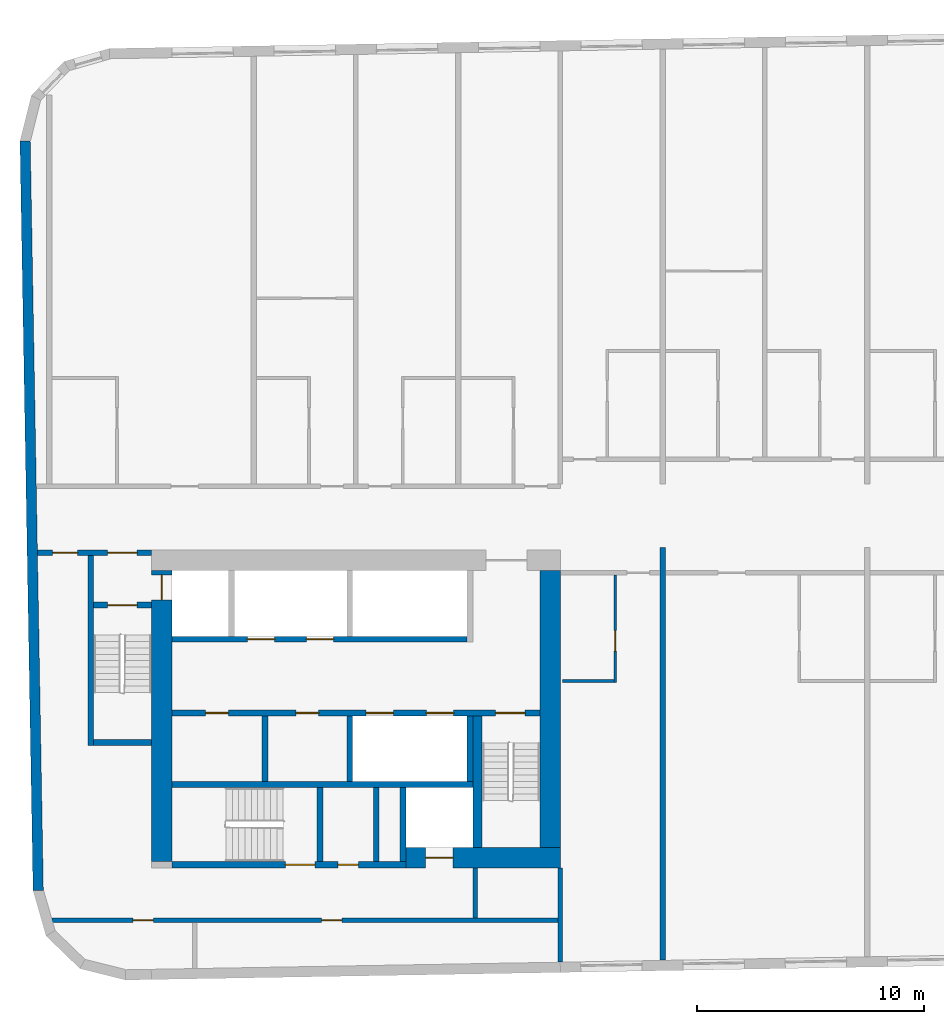
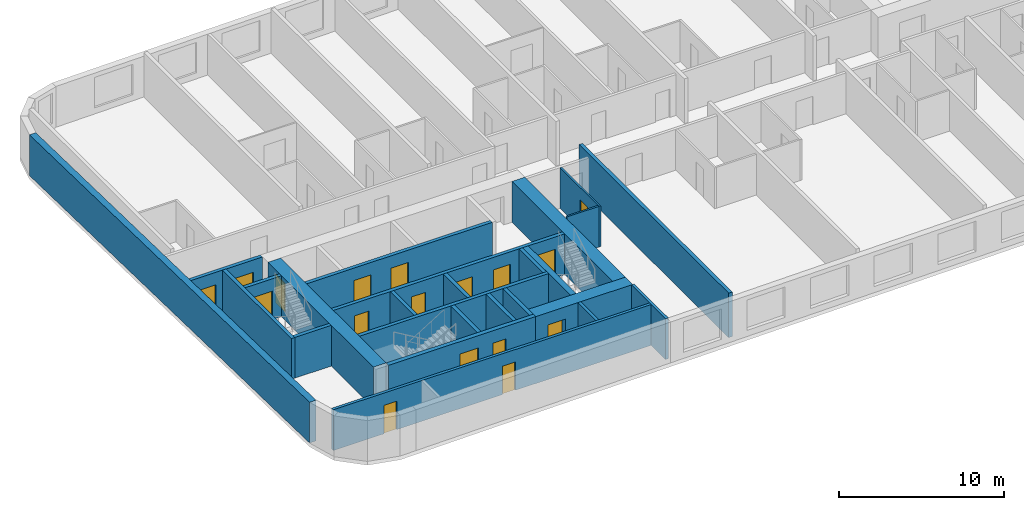
# One storey, part 2 of 11: 25 walls, 17 doors, 17 openings.
"""IFC4 building model written with IfcOpenShell, lengths in metres."""

from ifc_helpers import new_model, si_unit, direction, frame, frame_2d, origin, place, context, subcontext, project, spatial, rectangle, extrude, material, layer, layer_set, type_object, element, fill, save


model = new_model("IFC4")

# Units and contexts
model_context = context("Model", 3, precision=1e-05, world=origin(), true_north=direction((0.0, 1.0)))
body_context = subcontext(model_context, "Body", "Model", "MODEL_VIEW")
ifc_project = project(units=[si_unit("LENGTHUNIT", "METRE"), si_unit("AREAUNIT", "SQUARE_METRE"), si_unit("VOLUMEUNIT", "CUBIC_METRE"), si_unit("PLANEANGLEUNIT", "RADIAN"), si_unit("MASSUNIT", "GRAM", prefix="KILO")], contexts=[model_context])

# Site, building, storey
site_placement = place(None, origin())
site = spatial("IfcSite", under=ifc_project, at=site_placement, CompositionType="ELEMENT")
building_placement = place(site_placement, origin())
building = spatial("IfcBuilding", under=site, at=building_placement, Name="Kajstack Hotel Tower", CompositionType="ELEMENT")
storey_placement = place(building_placement, frame((0.0, 0.0, 250.699951171875)))
storey = spatial("IfcBuildingStorey", under=building, at=storey_placement, Name="L62", CompositionType="ELEMENT", Elevation=250.699951171875)

# Wall, opening, door
ifc_material_1 = material(Name="Concrete C60/75", Category="concrete")
ifc_layer_1 = layer(ifc_material_1, 0.89990234375)
ifc_layer_set_1 = layer_set([ifc_layer_1], Name="Core wall 900")
wall_type_1 = type_object("IfcWallType", Name="Core wall 900", PredefinedType="SHEAR", material=ifc_layer_set_1)
wall_1_placement = place(storey_placement, frame((-20.300048828125, -15.050048828125, 0.0), z_axis=(0.0, 0.0, 1.0), x_axis=(1.0, 0.0, 0.0)))
wall_1 = element("IfcWall", 1, at=wall_1_placement, inside=storey, type_object=wall_type_1, Name="Core wall W RS", PredefinedType="SHEAR", context=body_context, shape_type="SweptSolid", body=[
    extrude(rectangle(XDim=6.800048828125, YDim=0.89990234375, at=frame_2d((3.39990234375, 0.0))), origin(), (0.0, 0.0, 1.0), 3.02001953125),
])
opening_1_placement = place(wall_1_placement, frame((0.875, 0.0, 0.0)))
opening_1 = element("IfcOpeningElement", 2, at=opening_1_placement, cuts=wall_1, Name="Opening LD-SV1", PredefinedType="OPENING", context=body_context, shape_type="SweptSolid", body=[
    extrude(rectangle(XDim=1.199951171875, YDim=2.10009765625, at=frame_2d((0.60009765625, 1.050048828125))), frame((0.0, 0.4599609375, 0.0), z_axis=(0.0, -1.0, 0.0), x_axis=(1.0, 0.0, 0.0)), (0.0, 0.0, 1.0), 0.919921875),
])
ifc_material_2 = material(Name="Stainless steel", Category="steel")
door_type_1 = type_object("IfcDoorType", Name="Lift landing door 1200", OperationType="SLIDING_TO_LEFT", PredefinedType="DOOR", material=ifc_material_2)
door_1_placement = place(opening_1_placement, origin())
door_1 = element("IfcDoor", 3, at=door_1_placement, inside=storey, type_object=door_type_1, Name="Landing door SV1", OperationType="SLIDING_TO_LEFT", OverallHeight=2.10009765625, OverallWidth=1.199951171875, PredefinedType="DOOR", context=body_context, shape_type="SweptSolid", body=[
    extrude(rectangle(XDim=1.199951171875, YDim=2.10009765625, at=frame_2d((0.60009765625, 1.050048828125))), frame((0.0, 0.02490234375, 0.0), z_axis=(0.0, -1.0, 0.0), x_axis=(1.0, 0.0, 0.0)), (0.0, 0.0, 1.0), 0.050048828125),
])
fill(opening_1, door_1)

wall_2_placement = place(storey_placement, frame((-31.050048828125, -15.199951171875, 0.0), z_axis=(0.0, 0.0, 1.0), x_axis=(0.0, 1.0, 0.0)))
wall_2 = element("IfcWall", 4, at=wall_2_placement, inside=storey, type_object=wall_type_1, Name="Core wall W RW", PredefinedType="SHEAR", context=body_context, shape_type="SweptSolid", body=[
    extrude(rectangle(XDim=12.800048828125, YDim=0.89990234375, at=frame_2d((6.39990234375, 0.0))), origin(), (0.0, 0.0, 1.0), 3.02001953125),
])
opening_2_placement = place(wall_2_placement, frame((11.5, 0.0, 0.0)))
opening_2 = element("IfcOpeningElement", 5, at=opening_2_placement, cuts=wall_2, Name="Opening LD-FF1", PredefinedType="OPENING", context=body_context, shape_type="SweptSolid", body=[
    extrude(rectangle(XDim=1.10009765625, YDim=2.10009765625, at=frame_2d((0.550048828125, 1.050048828125))), frame((0.0, 0.4599609375, 0.0), z_axis=(0.0, -1.0, 0.0), x_axis=(1.0, 0.0, 0.0)), (0.0, 0.0, 1.0), 0.919921875),
])
door_type_2 = type_object("IfcDoorType", Name="Fire-fighting lift landing door 1100", OperationType="SLIDING_TO_LEFT", PredefinedType="DOOR", material=ifc_material_2)
door_2_placement = place(opening_2_placement, origin())
door_2 = element("IfcDoor", 6, at=door_2_placement, inside=storey, type_object=door_type_2, Name="Landing door FF1", OperationType="SLIDING_TO_RIGHT", OverallHeight=2.10009765625, OverallWidth=1.10009765625, PredefinedType="DOOR", context=body_context, shape_type="SweptSolid", body=[
    extrude(rectangle(XDim=1.10009765625, YDim=2.10009765625, at=frame_2d((0.550048828125, 1.050048828125))), frame((0.0, 0.02490234375, 0.0), z_axis=(0.0, -1.0, 0.0), x_axis=(1.0, 0.0, 0.0)), (0.0, 0.0, 1.0), 0.050048828125),
])
fill(opening_2, door_2)

# Walls
wall_3_placement = place(storey_placement, frame((-13.949951171875, -14.60009765625, 0.0), z_axis=(0.0, 0.0, 1.0), x_axis=(0.0, 1.0, 0.0)))
element("IfcWall", 7, at=wall_3_placement, inside=storey, type_object=wall_type_1, Name="Core wall W RE", PredefinedType="SHEAR", context=body_context, shape_type="SweptSolid", body=[
    extrude(rectangle(XDim=12.2001953125, YDim=0.89990234375, at=frame_2d((6.10009765625, 0.0))), origin(), (0.0, 0.0, 1.0), 3.02001953125),
])
ifc_material_3 = material(Name="Twin-frame gypsum board on steel studs, mineral wool", Category="steel")
ifc_layer_2 = layer(ifc_material_3, 0.199951171875)
ifc_layer_set_2 = layer_set([ifc_layer_2], Name="Demising wall 200")
wall_type_2 = type_object("IfcWallType", Name="Demising wall 200", PredefinedType="PARTITIONING", material=ifc_layer_set_2)
wall_4_placement = place(storey_placement, frame((-13.5, -19.64111328125, 0.0), z_axis=(0.0, 0.0, 1.0), x_axis=(0.0, 1.0, 0.0)))
element("IfcWall", 8, at=wall_4_placement, inside=storey, type_object=wall_type_2, Name="G-wall-L62-002", PredefinedType="PARTITIONING", context=body_context, shape_type="SweptSolid", body=[
    extrude(rectangle(XDim=4.14111328125, YDim=0.199951171875, at=frame_2d((2.070556640625, 0.0))), origin(), (0.0, 0.0, 1.0), 3.02001953125),
])
ifc_material_4 = material(Name="Terracotta-faced brick masonry", Category="masonry")
ifc_layer_3 = layer(ifc_material_4, 0.449951171875)
ifc_layer_set_3 = layer_set([ifc_layer_3], Name="EW-TERRA")
wall_type_3 = type_object("IfcWallType", Name="EW-TERRA", PredefinedType="SOLIDWALL", material=ifc_layer_set_3)
wall_5_placement = place(storey_placement, frame((-37.056884765625, 16.50341796875, 0.0), z_axis=(0.0, 0.0, 1.0), x_axis=(0.017452279857, -0.999847697366, 0.0)))
element("IfcWall", 9, at=wall_5_placement, inside=storey, type_object=wall_type_3, Name="E-wall-L62-00-00", PredefinedType="SOLIDWALL", context=body_context, shape_type="SweptSolid", body=[
    extrude(rectangle(XDim=33.000244140625, YDim=0.449951171875, at=frame_2d((16.5, 0.0))), origin(), (0.0, 0.0, 1.0), 3.02001953125),
])

# Wall, opening, door
ifc_material_5 = material(Name="Gypsum board and tiled backer on steel studs", Category="steel")
ifc_layer_4 = layer(ifc_material_5, 0.125)
ifc_layer_set_4 = layer_set([ifc_layer_4], Name="En-suite wall 125")
wall_type_4 = type_object("IfcWallType", Name="En-suite wall 125", PredefinedType="PARTITIONING", material=ifc_layer_set_4)
wall_6_placement = place(storey_placement, frame((-11.087890625, -7.324951171875, 0.0), z_axis=(0.0, 0.0, 1.0), x_axis=(0.0, 1.0, 0.0)))
wall_6 = element("IfcWall", 10, at=wall_6_placement, inside=storey, type_object=wall_type_4, Name="G-wall-L62-030", PredefinedType="PARTITIONING", context=body_context, shape_type="SweptSolid", body=[
    extrude(rectangle(XDim=4.724853515625, YDim=0.125, at=frame_2d((2.3623046875, 0.0))), origin(), (0.0, 0.0, 1.0), 3.02001953125),
])
opening_3_placement = place(wall_6_placement, frame((1.375, 0.0, 0.0)))
opening_3 = element("IfcOpeningElement", 11, at=opening_3_placement, cuts=wall_6, Name="Opening 62022", PredefinedType="OPENING", context=body_context, shape_type="SweptSolid", body=[
    extrude(rectangle(XDim=0.89990234375, YDim=2.10009765625, at=frame_2d((0.449951171875, 1.050048828125))), frame((0.0, 0.072509765625, 0.0), z_axis=(0.0, -1.0, 0.0), x_axis=(1.0, 0.0, 0.0)), (0.0, 0.0, 1.0), 0.14501953125),
])
ifc_material_6 = material(Name="Painted timber door leaf", Category="wood")
door_type_3 = type_object("IfcDoorType", Name="Room door 900", OperationType="SINGLE_SWING_LEFT", PredefinedType="DOOR", material=ifc_material_6)
door_3_placement = place(opening_3_placement, origin())
door_3 = element("IfcDoor", 12, at=door_3_placement, inside=storey, type_object=door_type_3, Name="G-door-L62-22", OperationType="SINGLE_SWING_LEFT", OverallHeight=2.10009765625, OverallWidth=0.89990234375, PredefinedType="DOOR", context=body_context, shape_type="SweptSolid", body=[
    extrude(rectangle(XDim=0.89990234375, YDim=2.10009765625, at=frame_2d((0.449951171875, 1.050048828125))), frame((0.0, 0.02490234375, 0.0), z_axis=(0.0, -1.0, 0.0), x_axis=(1.0, 0.0, 0.0)), (0.0, 0.0, 1.0), 0.050048828125),
])
fill(opening_3, door_3)

# Walls
wall_7_placement = place(storey_placement, frame((-13.39990234375, -7.261962890625, 0.0), z_axis=(0.0, 0.0, 1.0), x_axis=(1.0, 0.0, 0.0)))
element("IfcWall", 13, at=wall_7_placement, inside=storey, type_object=wall_type_4, Name="G-wall-L62-031", PredefinedType="PARTITIONING", context=body_context, shape_type="SweptSolid", body=[
    extrude(rectangle(XDim=2.25, YDim=0.125, at=frame_2d((1.125, 0.0))), origin(), (0.0, 0.0, 1.0), 3.02001953125),
])
ifc_material_7 = material(Name="Concrete C50/60", Category="concrete")
ifc_layer_5 = layer(ifc_material_7, 0.300048828125)
ifc_layer_set_5 = layer_set([ifc_layer_5], Name="Hoistway divider wall 300")
wall_type_5 = type_object("IfcWallType", Name="Hoistway divider wall 300", PredefinedType="SHEAR", material=ifc_layer_set_5)
wall_8_placement = place(storey_placement, frame((-22.77490234375, -11.699951171875, 0.0), z_axis=(0.0, 0.0, 1.0), x_axis=(0.0, 1.0, 0.0)))
element("IfcWall", 14, at=wall_8_placement, inside=storey, type_object=wall_type_5, Name="Core wall W BP2", PredefinedType="SHEAR", context=body_context, shape_type="SweptSolid", body=[
    extrude(rectangle(XDim=2.89990234375, YDim=0.25, at=frame_2d((1.449951171875, 0.0))), origin(), (0.0, 0.0, 1.0), 3.02001953125),
])
ifc_material_8 = material(Name="Concrete C45/55", Category="concrete")
ifc_layer_6 = layer(ifc_material_8, 0.25)
ifc_layer_set_6 = layer_set([ifc_layer_6], Name="RC cross wall 250 C45/55")
wall_type_6 = type_object("IfcWallType", Name="RC cross wall 250 C45/55", PredefinedType="SHEAR", material=ifc_layer_set_6)
wall_9_placement = place(storey_placement, frame((-9.0, -19.55029296875, 0.0), z_axis=(0.0, 0.0, 1.0), x_axis=(0.0, 1.0, 0.0)))
element("IfcWall", 15, at=wall_9_placement, inside=storey, type_object=wall_type_6, Name="S-wall-L62-04", PredefinedType="SHEAR", context=body_context, shape_type="SweptSolid", body=[
    extrude(rectangle(XDim=18.150390625, YDim=0.25, at=frame_2d((9.0751953125, 0.0))), origin(), (0.0, 0.0, 1.0), 3.300048828125),
])
ifc_material_9 = material(Name="Concrete block masonry", Category="masonry")
ifc_layer_7 = layer(ifc_material_9, 0.25)
ifc_layer_set_7 = layer_set([ifc_layer_7], Name="Riser partition 250")
wall_type_7 = type_object("IfcWallType", Name="Riser partition 250", PredefinedType="PARTITIONING", material=ifc_layer_set_7)
wall_10_placement = place(storey_placement, frame((-26.5, -11.699951171875, 0.0), z_axis=(0.0, 0.0, 1.0), x_axis=(0.0, 1.0, 0.0)))
element("IfcWall", 16, at=wall_10_placement, inside=storey, type_object=wall_type_7, Name="Partition W BF0", PredefinedType="PARTITIONING", context=body_context, shape_type="SweptSolid", body=[
    extrude(rectangle(XDim=2.89990234375, YDim=0.25, at=frame_2d((1.449951171875, 0.0))), origin(), (0.0, 0.0, 1.0), 3.02001953125),
])
wall_11_placement = place(storey_placement, frame((-21.60009765625, -15.199951171875, 0.0), z_axis=(0.0, 0.0, 1.0), x_axis=(0.0, 1.0, 0.0)))
element("IfcWall", 17, at=wall_11_placement, inside=storey, type_object=wall_type_7, Name="Partition W SZ0", PredefinedType="PARTITIONING", context=body_context, shape_type="SweptSolid", body=[
    extrude(rectangle(XDim=3.25, YDim=0.25, at=frame_2d((1.625, 0.0))), origin(), (0.0, 0.0, 1.0), 3.02001953125),
])

# Wall, openings, doors
ifc_material_10 = material(Name="Gypsum board on steel studs, mineral wool", Category="steel")
ifc_layer_8 = layer(ifc_material_10, 0.199951171875)
ifc_layer_set_8 = layer_set([ifc_layer_8], Name="Service partition 200")
wall_type_8 = type_object("IfcWallType", Name="Service partition 200", PredefinedType="PARTITIONING", material=ifc_layer_set_8)
wall_12_placement = place(storey_placement, frame((-36.515380859375, -1.625, 0.0), z_axis=(0.0, 0.0, 1.0), x_axis=(1.0, 0.0, 0.0)))
wall_12 = element("IfcWall", 18, at=wall_12_placement, inside=storey, type_object=wall_type_8, Name="Partition W SN", PredefinedType="PARTITIONING", context=body_context, shape_type="SweptSolid", body=[
    extrude(rectangle(XDim=5.015380859375, YDim=0.25, at=frame_2d((2.5078125, 0.0))), origin(), (0.0, 0.0, 1.0), 3.02001953125),
])
opening_4_placement = place(wall_12_placement, frame((3.09033203125, 0.0, 0.0)))
opening_4 = element("IfcOpeningElement", 19, at=opening_4_placement, cuts=wall_12, Name="Opening 62W08", PredefinedType="OPENING", context=body_context, shape_type="SweptSolid", body=[
    extrude(rectangle(XDim=1.300048828125, YDim=2.10009765625, at=frame_2d((0.64990234375, 1.050048828125))), frame((0.0, 0.135009765625, 0.0), z_axis=(0.0, -1.0, 0.0), x_axis=(1.0, 0.0, 0.0)), (0.0, 0.0, 1.0), 0.27001953125),
])
opening_5_placement = place(wall_12_placement, frame((0.665283203125, 0.0, 0.0)))
opening_5 = element("IfcOpeningElement", 20, at=opening_5_placement, cuts=wall_12, Name="Opening 62W10", PredefinedType="OPENING", context=body_context, shape_type="SweptSolid", body=[
    extrude(rectangle(XDim=1.10009765625, YDim=2.10009765625, at=frame_2d((0.550048828125, 1.050048828125))), frame((0.0, 0.135009765625, 0.0), z_axis=(0.0, -1.0, 0.0), x_axis=(1.0, 0.0, 0.0)), (0.0, 0.0, 1.0), 0.27001953125),
])
ifc_material_11 = material(Name="Steel leaf, fire-rated", Category="steel")
door_type_4 = type_object("IfcDoorType", Name="Fire lobby door 1300", OperationType="SINGLE_SWING_LEFT", PredefinedType="DOOR", material=ifc_material_11)
door_4_placement = place(opening_4_placement, origin())
door_4 = element("IfcDoor", 21, at=door_4_placement, inside=storey, type_object=door_type_4, Name="Door 62W08", OperationType="SINGLE_SWING_RIGHT", OverallHeight=2.10009765625, OverallWidth=1.300048828125, PredefinedType="DOOR", context=body_context, shape_type="SweptSolid", body=[
    extrude(rectangle(XDim=1.300048828125, YDim=2.10009765625, at=frame_2d((0.64990234375, 1.050048828125))), frame((0.0, 0.02490234375, 0.0), z_axis=(0.0, -1.0, 0.0), x_axis=(1.0, 0.0, 0.0)), (0.0, 0.0, 1.0), 0.050048828125),
])
fill(opening_4, door_4)
ifc_material_12 = material(Name="Timber leaf, fire-rated", Category="wood")
door_type_5 = type_object("IfcDoorType", Name="Service corridor door 1100", OperationType="SINGLE_SWING_LEFT", PredefinedType="DOOR", material=ifc_material_12)
door_5_placement = place(opening_5_placement, origin())
door_5 = element("IfcDoor", 22, at=door_5_placement, inside=storey, type_object=door_type_5, Name="Door 62W10", OperationType="SINGLE_SWING_RIGHT", OverallHeight=2.10009765625, OverallWidth=1.10009765625, PredefinedType="DOOR", context=body_context, shape_type="SweptSolid", body=[
    extrude(rectangle(XDim=1.10009765625, YDim=2.10009765625, at=frame_2d((0.550048828125, 1.050048828125))), frame((0.0, 0.02490234375, 0.0), z_axis=(0.0, -1.0, 0.0), x_axis=(1.0, 0.0, 0.0)), (0.0, 0.0, 1.0), 0.050048828125),
])
fill(opening_5, door_5)

# Wall
wall_13_placement = place(storey_placement, frame((-17.25, -17.699951171875, 0.0), z_axis=(0.0, 0.0, 1.0), x_axis=(0.0, 1.0, 0.0)))
element("IfcWall", 23, at=wall_13_placement, inside=storey, type_object=wall_type_8, Name="Partition W SCE", PredefinedType="PARTITIONING", context=body_context, shape_type="SweptSolid", body=[
    extrude(rectangle(XDim=2.199951171875, YDim=0.199951171875, at=frame_2d((1.10009765625, 0.0))), origin(), (0.0, 0.0, 1.0), 3.02001953125),
])

# Wall, openings, doors
wall_14_placement = place(storey_placement, frame((-35.86376953125, -17.800048828125, 0.0), z_axis=(0.0, 0.0, 1.0), x_axis=(1.0, 0.0, 0.0)))
wall_14 = element("IfcWall", 24, at=wall_14_placement, inside=storey, type_object=wall_type_8, Name="Partition W SLN", PredefinedType="PARTITIONING", context=body_context, shape_type="SweptSolid", body=[
    extrude(rectangle(XDim=22.263671875, YDim=0.199951171875, at=frame_2d((11.1318359375, 0.0))), origin(), (0.0, 0.0, 1.0), 3.02001953125),
])
opening_6_placement = place(wall_14_placement, frame((3.55126953125, 0.0, 0.0)))
opening_6 = element("IfcOpeningElement", 25, at=opening_6_placement, cuts=wall_14, Name="Opening 62W16", PredefinedType="OPENING", context=body_context, shape_type="SweptSolid", body=[
    extrude(rectangle(XDim=0.89990234375, YDim=2.10009765625, at=frame_2d((0.449951171875, 1.050048828125))), frame((0.0, 0.10986328125, 0.0), z_axis=(0.0, -1.0, 0.0), x_axis=(1.0, 0.0, 0.0)), (0.0, 0.0, 1.0), 0.219970703125),
])
opening_7_placement = place(wall_14_placement, frame((11.851318359375, 0.0, 0.0)))
opening_7 = element("IfcOpeningElement", 26, at=opening_7_placement, cuts=wall_14, Name="Opening 62W17", PredefinedType="OPENING", context=body_context, shape_type="SweptSolid", body=[
    extrude(rectangle(XDim=0.89990234375, YDim=2.10009765625, at=frame_2d((0.449951171875, 1.050048828125))), frame((0.0, 0.10986328125, 0.0), z_axis=(0.0, -1.0, 0.0), x_axis=(1.0, 0.0, 0.0)), (0.0, 0.0, 1.0), 0.219970703125),
])
door_type_6 = type_object("IfcDoorType", Name="Service door 900", OperationType="SINGLE_SWING_LEFT", PredefinedType="DOOR", material=ifc_material_12)
door_6_placement = place(opening_6_placement, origin())
door_6 = element("IfcDoor", 27, at=door_6_placement, inside=storey, type_object=door_type_6, Name="Door 62W16", OperationType="SINGLE_SWING_RIGHT", OverallHeight=2.10009765625, OverallWidth=0.89990234375, PredefinedType="DOOR", context=body_context, shape_type="SweptSolid", body=[
    extrude(rectangle(XDim=0.89990234375, YDim=2.10009765625, at=frame_2d((0.449951171875, 1.050048828125))), frame((0.0, 0.02490234375, 0.0), z_axis=(0.0, -1.0, 0.0), x_axis=(1.0, 0.0, 0.0)), (0.0, 0.0, 1.0), 0.050048828125),
])
fill(opening_6, door_6)
door_7_placement = place(opening_7_placement, origin())
door_7 = element("IfcDoor", 28, at=door_7_placement, inside=storey, type_object=door_type_6, Name="Door 62W17", OperationType="SINGLE_SWING_RIGHT", OverallHeight=2.10009765625, OverallWidth=0.89990234375, PredefinedType="DOOR", context=body_context, shape_type="SweptSolid", body=[
    extrude(rectangle(XDim=0.89990234375, YDim=2.10009765625, at=frame_2d((0.449951171875, 1.050048828125))), frame((0.0, 0.02490234375, 0.0), z_axis=(0.0, -1.0, 0.0), x_axis=(1.0, 0.0, 0.0)), (0.0, 0.0, 1.0), 0.050048828125),
])
fill(opening_7, door_7)

ifc_layer_9 = layer(ifc_material_7, 0.25)
ifc_layer_set_9 = layer_set([ifc_layer_9], Name="Shaft wall 250")
wall_type_9 = type_object("IfcWallType", Name="Shaft wall 250", PredefinedType="SHEAR", material=ifc_layer_set_9)
wall_15_placement = place(storey_placement, frame((-30.60009765625, -15.35009765625, 0.0), z_axis=(0.0, 0.0, 1.0), x_axis=(1.0, 0.0, 0.0)))
wall_15 = element("IfcWall", 29, at=wall_15_placement, inside=storey, type_object=wall_type_9, Name="Core wall W RSS", PredefinedType="SHEAR", context=body_context, shape_type="SweptSolid", body=[
    extrude(rectangle(XDim=10.300048828125, YDim=0.300048828125, at=frame_2d((5.14990234375, 0.0))), origin(), (0.0, 0.0, 1.0), 3.02001953125),
])
opening_8_placement = place(wall_15_placement, frame((5.0, 0.0, 0.0)))
opening_8 = element("IfcOpeningElement", 30, at=opening_8_placement, cuts=wall_15, Name="Opening 62W12", PredefinedType="OPENING", context=body_context, shape_type="SweptSolid", body=[
    extrude(rectangle(XDim=1.300048828125, YDim=2.10009765625, at=frame_2d((0.64990234375, 1.050048828125))), frame((0.0, 0.159912109375, 0.0), z_axis=(0.0, -1.0, 0.0), x_axis=(1.0, 0.0, 0.0)), (0.0, 0.0, 1.0), 0.320068359375),
])
opening_9_placement = place(wall_15_placement, frame((7.3125, 0.0, 0.0)))
opening_9 = element("IfcOpeningElement", 31, at=opening_9_placement, cuts=wall_15, Name="Opening 62W13", PredefinedType="OPENING", context=body_context, shape_type="SweptSolid", body=[
    extrude(rectangle(XDim=0.89990234375, YDim=2.10009765625, at=frame_2d((0.449951171875, 1.050048828125))), frame((0.0, 0.159912109375, 0.0), z_axis=(0.0, -1.0, 0.0), x_axis=(1.0, 0.0, 0.0)), (0.0, 0.0, 1.0), 0.320068359375),
])
door_8_placement = place(opening_9_placement, origin())
door_8 = element("IfcDoor", 32, at=door_8_placement, inside=storey, type_object=door_type_6, Name="Door 62W13", OperationType="SINGLE_SWING_LEFT", OverallHeight=2.10009765625, OverallWidth=0.89990234375, PredefinedType="DOOR", context=body_context, shape_type="SweptSolid", body=[
    extrude(rectangle(XDim=0.89990234375, YDim=2.10009765625, at=frame_2d((0.449951171875, 1.050048828125))), frame((0.0, 0.02490234375, 0.0), z_axis=(0.0, -1.0, 0.0), x_axis=(1.0, 0.0, 0.0)), (0.0, 0.0, 1.0), 0.050048828125),
])
fill(opening_9, door_8)
door_type_7 = type_object("IfcDoorType", Name="Stair door 1300", OperationType="SINGLE_SWING_LEFT", PredefinedType="DOOR", material=ifc_material_11)
door_9_placement = place(opening_8_placement, origin())
door_9 = element("IfcDoor", 33, at=door_9_placement, inside=storey, type_object=door_type_7, Name="Door 62W12", OperationType="SINGLE_SWING_RIGHT", OverallHeight=2.10009765625, OverallWidth=1.300048828125, PredefinedType="DOOR", context=body_context, shape_type="SweptSolid", body=[
    extrude(rectangle(XDim=1.300048828125, YDim=2.10009765625, at=frame_2d((0.64990234375, 1.050048828125))), frame((0.0, 0.02490234375, 0.0), z_axis=(0.0, -1.0, 0.0), x_axis=(1.0, 0.0, 0.0)), (0.0, 0.0, 1.0), 0.050048828125),
])
fill(opening_8, door_9)

wall_16_placement = place(storey_placement, frame((-30.60009765625, -5.425048828125, 0.0), z_axis=(0.0, 0.0, 1.0), x_axis=(1.0, 0.0, 0.0)))
wall_16 = element("IfcWall", 34, at=wall_16_placement, inside=storey, type_object=wall_type_9, Name="Core wall W FA", PredefinedType="SHEAR", context=body_context, shape_type="SweptSolid", body=[
    extrude(rectangle(XDim=13.0, YDim=0.25, at=frame_2d((6.5, 0.0))), origin(), (0.0, 0.0, 1.0), 3.02001953125),
])
opening_10_placement = place(wall_16_placement, frame((3.324951171875, 0.0, 0.0)))
opening_10 = element("IfcOpeningElement", 35, at=opening_10_placement, cuts=wall_16, Name="Opening LD-MR3", PredefinedType="OPENING", context=body_context, shape_type="SweptSolid", body=[
    extrude(rectangle(XDim=1.199951171875, YDim=2.10009765625, at=frame_2d((0.60009765625, 1.050048828125))), frame((0.0, 0.135009765625, 0.0), z_axis=(0.0, -1.0, 0.0), x_axis=(1.0, 0.0, 0.0)), (0.0, 0.0, 1.0), 0.27001953125),
])
opening_11_placement = place(wall_16_placement, frame((5.925048828125, 0.0, 0.0)))
opening_11 = element("IfcOpeningElement", 36, at=opening_11_placement, cuts=wall_16, Name="Opening LD-MR4", PredefinedType="OPENING", context=body_context, shape_type="SweptSolid", body=[
    extrude(rectangle(XDim=1.199951171875, YDim=2.10009765625, at=frame_2d((0.60009765625, 1.050048828125))), frame((0.0, 0.135009765625, 0.0), z_axis=(0.0, -1.0, 0.0), x_axis=(1.0, 0.0, 0.0)), (0.0, 0.0, 1.0), 0.27001953125),
])
door_10_placement = place(opening_10_placement, origin())
door_10 = element("IfcDoor", 37, at=door_10_placement, inside=storey, type_object=door_type_1, Name="Landing door MR3", OperationType="SLIDING_TO_RIGHT", OverallHeight=2.10009765625, OverallWidth=1.199951171875, PredefinedType="DOOR", context=body_context, shape_type="SweptSolid", body=[
    extrude(rectangle(XDim=1.199951171875, YDim=2.10009765625, at=frame_2d((0.60009765625, 1.050048828125))), frame((0.0, 0.02490234375, 0.0), z_axis=(0.0, -1.0, 0.0), x_axis=(1.0, 0.0, 0.0)), (0.0, 0.0, 1.0), 0.050048828125),
])
fill(opening_10, door_10)
door_11_placement = place(opening_11_placement, origin())
door_11 = element("IfcDoor", 38, at=door_11_placement, inside=storey, type_object=door_type_1, Name="Landing door MR4", OperationType="SLIDING_TO_RIGHT", OverallHeight=2.10009765625, OverallWidth=1.199951171875, PredefinedType="DOOR", context=body_context, shape_type="SweptSolid", body=[
    extrude(rectangle(XDim=1.199951171875, YDim=2.10009765625, at=frame_2d((0.60009765625, 1.050048828125))), frame((0.0, 0.02490234375, 0.0), z_axis=(0.0, -1.0, 0.0), x_axis=(1.0, 0.0, 0.0)), (0.0, 0.0, 1.0), 0.050048828125),
])
fill(opening_11, door_11)

wall_17_placement = place(storey_placement, frame((-30.60009765625, -8.675048828125, 0.0), z_axis=(0.0, 0.0, 1.0), x_axis=(1.0, 0.0, 0.0)))
wall_17 = element("IfcWall", 39, at=wall_17_placement, inside=storey, type_object=wall_type_9, Name="Core wall W FB", PredefinedType="SHEAR", context=body_context, shape_type="SweptSolid", body=[
    extrude(rectangle(XDim=16.2001953125, YDim=0.25, at=frame_2d((8.10009765625, 0.0))), origin(), (0.0, 0.0, 1.0), 3.02001953125),
])
opening_12_placement = place(wall_17_placement, frame((8.550048828125, 0.0, 0.0)))
opening_12 = element("IfcOpeningElement", 40, at=opening_12_placement, cuts=wall_17, Name="Opening LD-MR1", PredefinedType="OPENING", context=body_context, shape_type="SweptSolid", body=[
    extrude(rectangle(XDim=1.199951171875, YDim=2.10009765625, at=frame_2d((0.60009765625, 1.050048828125))), frame((0.0, 0.135009765625, 0.0), z_axis=(0.0, -1.0, 0.0), x_axis=(1.0, 0.0, 0.0)), (0.0, 0.0, 1.0), 0.27001953125),
])
opening_13_placement = place(wall_17_placement, frame((11.199951171875, 0.0, 0.0)))
opening_13 = element("IfcOpeningElement", 41, at=opening_13_placement, cuts=wall_17, Name="Opening LD-MR2", PredefinedType="OPENING", context=body_context, shape_type="SweptSolid", body=[
    extrude(rectangle(XDim=1.199951171875, YDim=2.10009765625, at=frame_2d((0.60009765625, 1.050048828125))), frame((0.0, 0.135009765625, 0.0), z_axis=(0.0, -1.0, 0.0), x_axis=(1.0, 0.0, 0.0)), (0.0, 0.0, 1.0), 0.27001953125),
])
opening_14_placement = place(wall_17_placement, frame((14.25, 0.0, 0.0)))
opening_14 = element("IfcOpeningElement", 42, at=opening_14_placement, cuts=wall_17, Name="Opening 62W11", PredefinedType="OPENING", context=body_context, shape_type="SweptSolid", body=[
    extrude(rectangle(XDim=1.300048828125, YDim=2.10009765625, at=frame_2d((0.64990234375, 1.050048828125))), frame((0.0, 0.135009765625, 0.0), z_axis=(0.0, -1.0, 0.0), x_axis=(1.0, 0.0, 0.0)), (0.0, 0.0, 1.0), 0.27001953125),
])
opening_15_placement = place(wall_17_placement, frame((1.487548828125, 0.0, 0.0)))
opening_15 = element("IfcOpeningElement", 43, at=opening_15_placement, cuts=wall_17, Name="Opening 62W14", PredefinedType="OPENING", context=body_context, shape_type="SweptSolid", body=[
    extrude(rectangle(XDim=1.0, YDim=2.10009765625, at=frame_2d((0.5, 1.050048828125))), frame((0.0, 0.135009765625, 0.0), z_axis=(0.0, -1.0, 0.0), x_axis=(1.0, 0.0, 0.0)), (0.0, 0.0, 1.0), 0.27001953125),
])
opening_16_placement = place(wall_17_placement, frame((5.46240234375, 0.0, 0.0)))
opening_16 = element("IfcOpeningElement", 44, at=opening_16_placement, cuts=wall_17, Name="Opening 62W15", PredefinedType="OPENING", context=body_context, shape_type="SweptSolid", body=[
    extrude(rectangle(XDim=1.0, YDim=2.10009765625, at=frame_2d((0.5, 1.050048828125))), frame((0.0, 0.135009765625, 0.0), z_axis=(0.0, -1.0, 0.0), x_axis=(1.0, 0.0, 0.0)), (0.0, 0.0, 1.0), 0.27001953125),
])
door_12_placement = place(opening_12_placement, origin())
door_12 = element("IfcDoor", 45, at=door_12_placement, inside=storey, type_object=door_type_1, Name="Landing door MR1", OperationType="SLIDING_TO_LEFT", OverallHeight=2.10009765625, OverallWidth=1.199951171875, PredefinedType="DOOR", context=body_context, shape_type="SweptSolid", body=[
    extrude(rectangle(XDim=1.199951171875, YDim=2.10009765625, at=frame_2d((0.60009765625, 1.050048828125))), frame((0.0, 0.02490234375, 0.0), z_axis=(0.0, -1.0, 0.0), x_axis=(1.0, 0.0, 0.0)), (0.0, 0.0, 1.0), 0.050048828125),
])
fill(opening_12, door_12)
door_13_placement = place(opening_13_placement, origin())
door_13 = element("IfcDoor", 46, at=door_13_placement, inside=storey, type_object=door_type_1, Name="Landing door MR2", OperationType="SLIDING_TO_RIGHT", OverallHeight=2.10009765625, OverallWidth=1.199951171875, PredefinedType="DOOR", context=body_context, shape_type="SweptSolid", body=[
    extrude(rectangle(XDim=1.199951171875, YDim=2.10009765625, at=frame_2d((0.60009765625, 1.050048828125))), frame((0.0, 0.02490234375, 0.0), z_axis=(0.0, -1.0, 0.0), x_axis=(1.0, 0.0, 0.0)), (0.0, 0.0, 1.0), 0.050048828125),
])
fill(opening_13, door_13)
door_type_8 = type_object("IfcDoorType", Name="Service room door 1000", OperationType="SINGLE_SWING_LEFT", PredefinedType="DOOR", material=ifc_material_12)
door_14_placement = place(opening_15_placement, origin())
door_14 = element("IfcDoor", 47, at=door_14_placement, inside=storey, type_object=door_type_8, Name="Door 62W14", OperationType="SINGLE_SWING_RIGHT", OverallHeight=2.10009765625, OverallWidth=1.0, PredefinedType="DOOR", context=body_context, shape_type="SweptSolid", body=[
    extrude(rectangle(XDim=1.0, YDim=2.10009765625, at=frame_2d((0.5, 1.050048828125))), frame((0.0, 0.02490234375, 0.0), z_axis=(0.0, -1.0, 0.0), x_axis=(1.0, 0.0, 0.0)), (0.0, 0.0, 1.0), 0.050048828125),
])
fill(opening_15, door_14)
door_15_placement = place(opening_16_placement, origin())
door_15 = element("IfcDoor", 48, at=door_15_placement, inside=storey, type_object=door_type_8, Name="Door 62W15", OperationType="SINGLE_SWING_RIGHT", OverallHeight=2.10009765625, OverallWidth=1.0, PredefinedType="DOOR", context=body_context, shape_type="SweptSolid", body=[
    extrude(rectangle(XDim=1.0, YDim=2.10009765625, at=frame_2d((0.5, 1.050048828125))), frame((0.0, 0.02490234375, 0.0), z_axis=(0.0, -1.0, 0.0), x_axis=(1.0, 0.0, 0.0)), (0.0, 0.0, 1.0), 0.050048828125),
])
fill(opening_16, door_15)
door_16_placement = place(opening_14_placement, origin())
door_16 = element("IfcDoor", 49, at=door_16_placement, inside=storey, type_object=door_type_7, Name="Door 62W11", OperationType="SINGLE_SWING_RIGHT", OverallHeight=2.10009765625, OverallWidth=1.300048828125, PredefinedType="DOOR", context=body_context, shape_type="SweptSolid", body=[
    extrude(rectangle(XDim=1.300048828125, YDim=2.10009765625, at=frame_2d((0.64990234375, 1.050048828125))), frame((0.0, 0.02490234375, 0.0), z_axis=(0.0, -1.0, 0.0), x_axis=(1.0, 0.0, 0.0)), (0.0, 0.0, 1.0), 0.050048828125),
])
fill(opening_14, door_16)

# Walls
wall_18_placement = place(storey_placement, frame((-30.60009765625, -11.824951171875, 0.0), z_axis=(0.0, 0.0, 1.0), x_axis=(1.0, 0.0, 0.0)))
element("IfcWall", 50, at=wall_18_placement, inside=storey, type_object=wall_type_9, Name="Core wall W RB", PredefinedType="SHEAR", context=body_context, shape_type="SweptSolid", body=[
    extrude(rectangle(XDim=13.25, YDim=0.25, at=frame_2d((6.625, 0.0))), origin(), (0.0, 0.0, 1.0), 3.02001953125),
])
wall_19_placement = place(storey_placement, frame((-17.47509765625, -11.699951171875, 0.0), z_axis=(0.0, 0.0, 1.0), x_axis=(0.0, 1.0, 0.0)))
element("IfcWall", 51, at=wall_19_placement, inside=storey, type_object=wall_type_9, Name="Core wall W BE", PredefinedType="SHEAR", context=body_context, shape_type="SweptSolid", body=[
    extrude(rectangle(XDim=2.89990234375, YDim=0.25, at=frame_2d((1.449951171875, 0.0))), origin(), (0.0, 0.0, 1.0), 3.02001953125),
])
wall_20_placement = place(storey_placement, frame((-20.425048828125, -15.199951171875, 0.0), z_axis=(0.0, 0.0, 1.0), x_axis=(0.0, 1.0, 0.0)))
element("IfcWall", 52, at=wall_20_placement, inside=storey, type_object=wall_type_9, Name="Core wall W SVW", PredefinedType="SHEAR", context=body_context, shape_type="SweptSolid", body=[
    extrude(rectangle(XDim=3.25, YDim=0.25, at=frame_2d((1.625, 0.0))), origin(), (0.0, 0.0, 1.0), 3.02001953125),
])

# Wall, opening, door
ifc_material_13 = material(Name="Concrete C40/50", Category="concrete")
ifc_layer_10 = layer(ifc_material_13, 0.25)
ifc_layer_set_10 = layer_set([ifc_layer_10], Name="Stair enclosure wall 250")
wall_type_10 = type_object("IfcWallType", Name="Stair enclosure wall 250", PredefinedType="SHEAR", material=ifc_layer_set_10)
wall_21_placement = place(storey_placement, frame((-34.050048828125, -3.925048828125, 0.0), z_axis=(0.0, 0.0, 1.0), x_axis=(1.0, 0.0, 0.0)))
wall_21 = element("IfcWall", 53, at=wall_21_placement, inside=storey, type_object=wall_type_10, Name="Core wall W W1N", PredefinedType="SHEAR", context=body_context, shape_type="SweptSolid", body=[
    extrude(rectangle(XDim=2.550048828125, YDim=0.25, at=frame_2d((1.27490234375, 0.0))), origin(), (0.0, 0.0, 1.0), 3.02001953125),
])
opening_17_placement = place(wall_21_placement, frame((0.625, 0.0, 0.0)))
opening_17 = element("IfcOpeningElement", 54, at=opening_17_placement, cuts=wall_21, Name="Opening 62W09", PredefinedType="OPENING", context=body_context, shape_type="SweptSolid", body=[
    extrude(rectangle(XDim=1.300048828125, YDim=2.10009765625, at=frame_2d((0.64990234375, 1.050048828125))), frame((0.0, 0.135009765625, 0.0), z_axis=(0.0, -1.0, 0.0), x_axis=(1.0, 0.0, 0.0)), (0.0, 0.0, 1.0), 0.27001953125),
])
door_17_placement = place(opening_17_placement, origin())
door_17 = element("IfcDoor", 55, at=door_17_placement, inside=storey, type_object=door_type_7, Name="Door 62W09", OperationType="SINGLE_SWING_RIGHT", OverallHeight=2.10009765625, OverallWidth=1.300048828125, PredefinedType="DOOR", context=body_context, shape_type="SweptSolid", body=[
    extrude(rectangle(XDim=1.300048828125, YDim=2.10009765625, at=frame_2d((0.64990234375, 1.050048828125))), frame((0.0, 0.02490234375, 0.0), z_axis=(0.0, -1.0, 0.0), x_axis=(1.0, 0.0, 0.0)), (0.0, 0.0, 1.0), 0.050048828125),
])
fill(opening_17, door_17)

# Walls
wall_22_placement = place(storey_placement, frame((-34.175048828125, -10.10009765625, 0.0), z_axis=(0.0, 0.0, 1.0), x_axis=(0.0, 1.0, 0.0)))
element("IfcWall", 56, at=wall_22_placement, inside=storey, type_object=wall_type_10, Name="Core wall W W1W", PredefinedType="SHEAR", context=body_context, shape_type="SweptSolid", body=[
    extrude(rectangle(XDim=8.35009765625, YDim=0.25, at=frame_2d((4.175048828125, 0.0))), origin(), (0.0, 0.0, 1.0), 3.02001953125),
])
wall_23_placement = place(storey_placement, frame((-34.050048828125, -9.97509765625, 0.0), z_axis=(0.0, 0.0, 1.0), x_axis=(1.0, 0.0, 0.0)))
element("IfcWall", 57, at=wall_23_placement, inside=storey, type_object=wall_type_10, Name="Core wall W W1S", PredefinedType="SHEAR", context=body_context, shape_type="SweptSolid", body=[
    extrude(rectangle(XDim=2.550048828125, YDim=0.25, at=frame_2d((1.27490234375, 0.0))), origin(), (0.0, 0.0, 1.0), 3.02001953125),
])
ifc_layer_11 = layer(ifc_material_7, 0.35009765625)
ifc_layer_set_11 = layer_set([ifc_layer_11], Name="Stair enclosure wall 350")
wall_type_11 = type_object("IfcWallType", Name="Stair enclosure wall 350", PredefinedType="SHEAR", material=ifc_layer_set_11)
wall_24_placement = place(storey_placement, frame((-24.074951171875, -15.199951171875, 0.0), z_axis=(0.0, 0.0, 1.0), x_axis=(0.0, 1.0, 0.0)))
element("IfcWall", 58, at=wall_24_placement, inside=storey, type_object=wall_type_11, Name="Core wall W W3E", PredefinedType="SHEAR", context=body_context, shape_type="SweptSolid", body=[
    extrude(rectangle(XDim=3.25, YDim=0.25, at=frame_2d((1.625, 0.0))), origin(), (0.0, 0.0, 1.0), 3.02001953125),
])
ifc_layer_12 = layer(ifc_material_7, 0.39990234375)
ifc_layer_set_12 = layer_set([ifc_layer_12], Name="Stair wall 400")
wall_type_12 = type_object("IfcWallType", Name="Stair wall 400", PredefinedType="SHEAR", material=ifc_layer_set_12)
wall_25_placement = place(storey_placement, frame((-17.14990234375, -14.60009765625, 0.0), z_axis=(0.0, 0.0, 1.0), x_axis=(0.0, 1.0, 0.0)))
element("IfcWall", 59, at=wall_25_placement, inside=storey, type_object=wall_type_12, Name="Core wall W WW2", PredefinedType="SHEAR", context=body_context, shape_type="SweptSolid", body=[
    extrude(rectangle(XDim=5.800048828125, YDim=0.39990234375, at=frame_2d((2.89990234375, 0.0))), origin(), (0.0, 0.0, 1.0), 3.02001953125),
])

save(model, "model.ifc")
